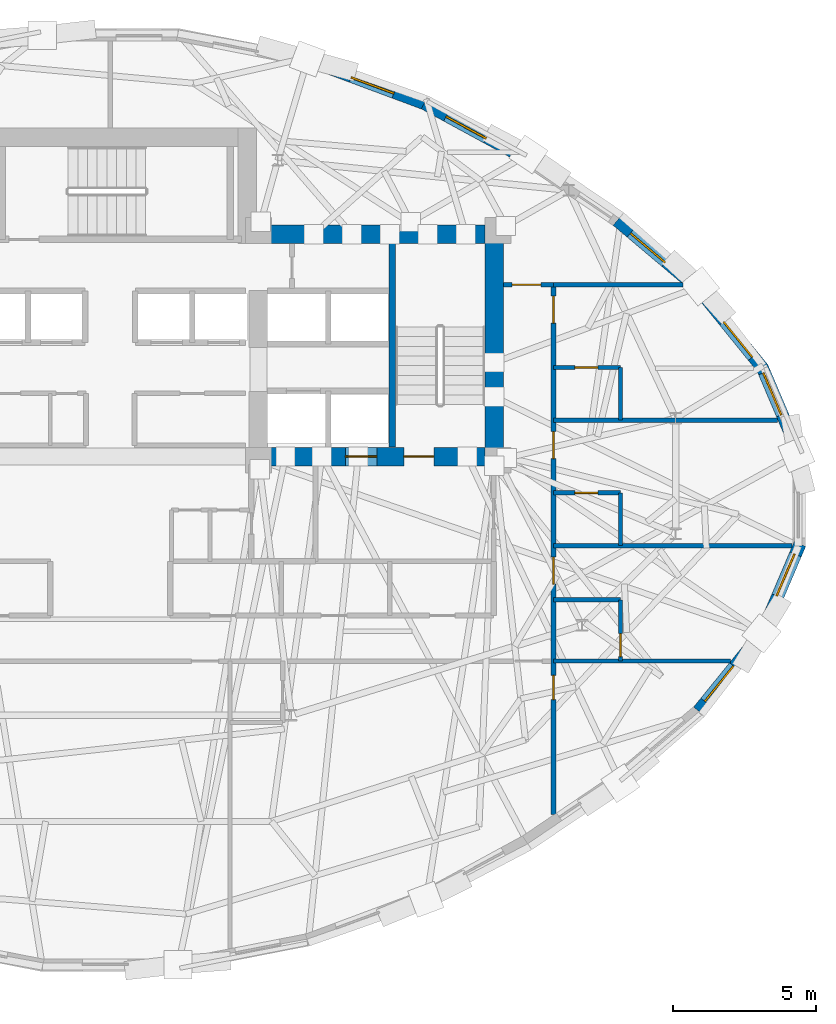
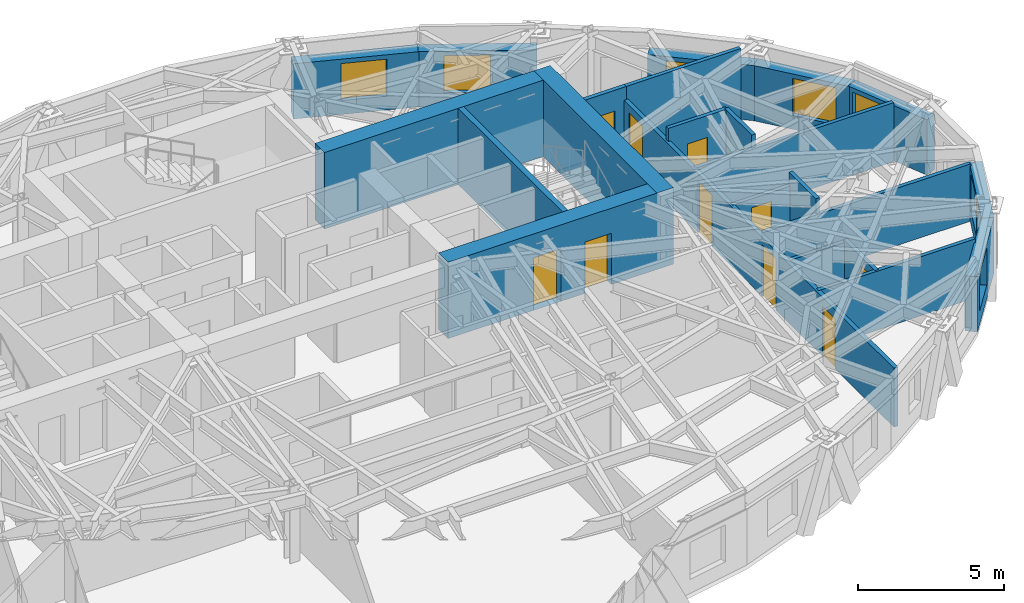
# One storey, part 9 of 14: 23 walls, 10 doors, 7 windows, 17 openings.
"""IFC4 building model written with IfcOpenShell, lengths in metres."""

from ifc_helpers import new_model, si_unit, direction, frame, frame_2d, origin, place, context, subcontext, project, spatial, rectangle, extrude, material, layer, layer_set, type_object, element, fill, save


model = new_model("IFC4")

# Units and contexts
model_context = context("Model", 3, precision=1e-05, world=origin(), true_north=direction((0.0, 1.0)))
body_context = subcontext(model_context, "Body", "Model", "MODEL_VIEW")
ifc_project = project(units=[si_unit("LENGTHUNIT", "METRE"), si_unit("AREAUNIT", "SQUARE_METRE"), si_unit("VOLUMEUNIT", "CUBIC_METRE"), si_unit("PLANEANGLEUNIT", "RADIAN"), si_unit("MASSUNIT", "GRAM", prefix="KILO")], contexts=[model_context])

# Site, building, storey
site_placement = place(None, origin())
site = spatial("IfcSite", under=ifc_project, at=site_placement, CompositionType="ELEMENT")
building_placement = place(site_placement, origin())
building = spatial("IfcBuilding", under=site, at=building_placement, Name="Keldmark Tower", CompositionType="ELEMENT")
storey_placement = place(building_placement, frame((0.0, 0.0, 191.800048828125)))
storey = spatial("IfcBuildingStorey", under=building, at=storey_placement, Name="L53", CompositionType="ELEMENT", Elevation=191.800048828125)

# Wall, openings, doors
ifc_material_1 = material(Name="Type X Fire-Rated Gypsum Partition Assembly", Category="gypsum")
ifc_layer_1 = layer(ifc_material_1, 0.1650390625)
ifc_layer_set_1 = layer_set([ifc_layer_1], Name="Type X Fire-Rated Gypsum Partition Assembly")
wall_type_1 = type_object("IfcWallType", Name="Rated Partition 165 mm", PredefinedType="PARTITIONING", material=ifc_layer_set_1)
wall_1_placement = place(storey_placement, frame((15.550048828125, -11.0361328125, 0.0), z_axis=(0.0, 0.0, 1.0), x_axis=(0.0, 1.0, 0.0)))
wall_1 = element("IfcWall", 1, at=wall_1_placement, inside=storey, type_object=wall_type_1, Name="L53 Rated Partition 165 mm HCOR-E", PredefinedType="PARTITIONING", context=body_context, shape_type="SweptSolid", body=[
    extrude(rectangle(XDim=18.586181640625, YDim=0.1650390625, at=frame_2d((9.29296875, 0.0))), origin(), (0.0, 0.0, 1.0), 2.472900390625),
])
opening_1_placement = place(wall_1_placement, frame((4.03662109375, 0.0, 0.0)))
opening_1 = element("IfcOpeningElement", 2, at=opening_1_placement, cuts=wall_1, Name="Opening D-IN085", PredefinedType="OPENING", context=body_context, shape_type="SweptSolid", body=[
    extrude(rectangle(XDim=0.85009765625, YDim=2.10009765625, at=frame_2d((0.425048828125, 1.050048828125))), frame((0.0, 0.092529296875, 0.0), z_axis=(0.0, -1.0, 0.0), x_axis=(1.0, 0.0, 0.0)), (0.0, 0.0, 1.0), 0.18505859375),
])
opening_2_placement = place(wall_1_placement, frame((8.08642578125, 0.0, 0.0)))
opening_2 = element("IfcOpeningElement", 3, at=opening_2_placement, cuts=wall_1, Name="Opening D-HT095", PredefinedType="OPENING", context=body_context, shape_type="SweptSolid", body=[
    extrude(rectangle(XDim=0.949951171875, YDim=2.14990234375, at=frame_2d((0.47509765625, 1.074951171875))), frame((0.0, 0.092529296875, 0.0), z_axis=(0.0, -1.0, 0.0), x_axis=(1.0, 0.0, 0.0)), (0.0, 0.0, 1.0), 0.18505859375),
])
opening_3_placement = place(wall_1_placement, frame((12.486572265625, 0.0, 0.0)))
opening_3 = element("IfcOpeningElement", 4, at=opening_3_placement, cuts=wall_1, Name="Opening D-HT095", PredefinedType="OPENING", context=body_context, shape_type="SweptSolid", body=[
    extrude(rectangle(XDim=0.949951171875, YDim=2.14990234375, at=frame_2d((0.47509765625, 1.074951171875))), frame((0.0, 0.092529296875, 0.0), z_axis=(0.0, -1.0, 0.0), x_axis=(1.0, 0.0, 0.0)), (0.0, 0.0, 1.0), 0.18505859375),
])
opening_4_placement = place(wall_1_placement, frame((17.236572265625, 0.0, 0.0)))
opening_4 = element("IfcOpeningElement", 5, at=opening_4_placement, cuts=wall_1, Name="Opening D-HT095", PredefinedType="OPENING", context=body_context, shape_type="SweptSolid", body=[
    extrude(rectangle(XDim=0.949951171875, YDim=2.14990234375, at=frame_2d((0.47509765625, 1.074951171875))), frame((0.0, 0.092529296875, 0.0), z_axis=(0.0, -1.0, 0.0), x_axis=(1.0, 0.0, 0.0)), (0.0, 0.0, 1.0), 0.18505859375),
])
ifc_material_2 = material(Name="Solid-Core Acoustic White Oak Fire-Rated Assembly", Category="wood")
door_type_1 = type_object("IfcDoorType", Name="Hotel Entry Door 950x2150", OperationType="NOTDEFINED", PredefinedType="DOOR", material=ifc_material_2)
door_1_placement = place(opening_2_placement, origin())
door_1 = element("IfcDoor", 6, at=door_1_placement, inside=storey, type_object=door_type_1, Name="L53 Hotel Entry Door 950x2150 D-HR-4-L53", OperationType="SINGLE_SWING_LEFT", OverallHeight=2.14990234375, OverallWidth=0.949951171875, PredefinedType="DOOR", context=body_context, shape_type="SweptSolid", body=[
    extrude(rectangle(XDim=0.949951171875, YDim=2.14990234375, at=frame_2d((0.47509765625, 1.074951171875))), frame((0.0, 0.02490234375, 0.0), z_axis=(0.0, -1.0, 0.0), x_axis=(1.0, 0.0, 0.0)), (0.0, 0.0, 1.0), 0.050048828125),
])
fill(opening_2, door_1)
door_2_placement = place(opening_3_placement, origin())
door_2 = element("IfcDoor", 7, at=door_2_placement, inside=storey, type_object=door_type_1, Name="L53 Hotel Entry Door 950x2150 D-HR-5-L53", OperationType="SINGLE_SWING_LEFT", OverallHeight=2.14990234375, OverallWidth=0.949951171875, PredefinedType="DOOR", context=body_context, shape_type="SweptSolid", body=[
    extrude(rectangle(XDim=0.949951171875, YDim=2.14990234375, at=frame_2d((0.47509765625, 1.074951171875))), frame((0.0, 0.02490234375, 0.0), z_axis=(0.0, -1.0, 0.0), x_axis=(1.0, 0.0, 0.0)), (0.0, 0.0, 1.0), 0.050048828125),
])
fill(opening_3, door_2)
door_3_placement = place(opening_4_placement, origin())
door_3 = element("IfcDoor", 8, at=door_3_placement, inside=storey, type_object=door_type_1, Name="L53 Hotel Entry Door 950x2150 D-HR-6-L53", OperationType="SINGLE_SWING_LEFT", OverallHeight=2.14990234375, OverallWidth=0.949951171875, PredefinedType="DOOR", context=body_context, shape_type="SweptSolid", body=[
    extrude(rectangle(XDim=0.949951171875, YDim=2.14990234375, at=frame_2d((0.47509765625, 1.074951171875))), frame((0.0, 0.02490234375, 0.0), z_axis=(0.0, -1.0, 0.0), x_axis=(1.0, 0.0, 0.0)), (0.0, 0.0, 1.0), 0.050048828125),
])
fill(opening_4, door_3)
ifc_material_3 = material(Name="Painted Architectural Wood", Category="wood")
door_type_2 = type_object("IfcDoorType", Name="Interior Door 850x2100", OperationType="NOTDEFINED", PredefinedType="DOOR", material=ifc_material_3)
door_4_placement = place(opening_1_placement, origin())
door_4 = element("IfcDoor", 9, at=door_4_placement, inside=storey, type_object=door_type_2, Name="L53 Interior Door 850x2100 D-HKSE-L53", OperationType="SINGLE_SWING_RIGHT", OverallHeight=2.10009765625, OverallWidth=0.85009765625, PredefinedType="DOOR", context=body_context, shape_type="SweptSolid", body=[
    extrude(rectangle(XDim=0.85009765625, YDim=2.10009765625, at=frame_2d((0.425048828125, 1.050048828125))), frame((0.0, 0.02490234375, 0.0), z_axis=(0.0, -1.0, 0.0), x_axis=(1.0, 0.0, 0.0)), (0.0, 0.0, 1.0), 0.050048828125),
])
fill(opening_1, door_4)

# Wall, opening, door
wall_2_placement = place(storey_placement, frame((13.800048828125, 7.550048828125, 0.0), z_axis=(0.0, 0.0, 1.0), x_axis=(1.0, 0.0, 0.0)))
wall_2 = element("IfcWall", 10, at=wall_2_placement, inside=storey, type_object=wall_type_1, Name="L53 Rated Partition 165 mm HCOR-EN", PredefinedType="PARTITIONING", context=body_context, shape_type="SweptSolid", body=[
    extrude(rectangle(XDim=1.75, YDim=0.1650390625, at=frame_2d((0.875, 0.0))), origin(), (0.0, 0.0, 1.0), 3.02001953125),
])
opening_5_placement = place(wall_2_placement, frame((0.300048828125, 0.0, 0.0)))
opening_5 = element("IfcOpeningElement", 11, at=opening_5_placement, cuts=wall_2, Name="Opening D-FD100", PredefinedType="OPENING", context=body_context, shape_type="SweptSolid", body=[
    extrude(rectangle(XDim=1.0, YDim=2.14990234375, at=frame_2d((0.5, 1.074951171875))), frame((0.0, 0.092529296875, 0.0), z_axis=(0.0, -1.0, 0.0), x_axis=(1.0, 0.0, 0.0)), (0.0, 0.0, 1.0), 0.18505859375),
])
ifc_material_4 = material(Name="Hollow Metal Fire-Rated Corridor Door", Category="metal")
door_type_3 = type_object("IfcDoorType", Name="Fire Door 1000x2150", OperationType="NOTDEFINED", PredefinedType="DOOR", material=ifc_material_4)
door_5_placement = place(opening_5_placement, origin())
door_5 = element("IfcDoor", 12, at=door_5_placement, inside=storey, type_object=door_type_3, Name="L53 Fire Door 1000x2150 D-HNNE-L53", OperationType="SINGLE_SWING_RIGHT", OverallHeight=2.14990234375, OverallWidth=1.0, PredefinedType="DOOR", context=body_context, shape_type="SweptSolid", body=[
    extrude(rectangle(XDim=1.0, YDim=2.14990234375, at=frame_2d((0.5, 1.074951171875))), frame((0.0, 0.02490234375, 0.0), z_axis=(0.0, -1.0, 0.0), x_axis=(1.0, 0.0, 0.0)), (0.0, 0.0, 1.0), 0.050048828125),
])
fill(opening_5, door_5)

# Wall
ifc_material_5 = material(Name="Concrete C50/60", Category="concrete")
ifc_layer_2 = layer(ifc_material_5, 0.219970703125)
ifc_layer_set_2 = layer_set([ifc_layer_2], Name="Concrete C50/60")
wall_type_2 = type_object("IfcWallType", Name="Stair Core Shear Wall 220 mm", PredefinedType="SHEAR", material=ifc_layer_set_2)
wall_3_placement = place(storey_placement, frame((9.889892578125, 1.85009765625, 0.0), z_axis=(0.0, 0.0, 1.0), x_axis=(0.0, 1.0, 0.0)))
element("IfcWall", 13, at=wall_3_placement, inside=storey, type_object=wall_type_2, Name="L53 East Stair Core Shear Wall", PredefinedType="SHEAR", context=body_context, shape_type="SweptSolid", body=[
    extrude(rectangle(XDim=7.14990234375, YDim=0.219970703125, at=frame_2d((3.574951171875, 0.0))), origin(), (0.0, 0.0, 1.0), 3.199951171875),
])

# Wall, opening, window
ifc_material_6 = material(Name="Ironspot Manganese Brick and Kasota Buff Limestone Spandrel Assembly", Category="masonry")
ifc_layer_3 = layer(ifc_material_6, 0.43994140625)
ifc_layer_set_3 = layer_set([ifc_layer_3], Name="Ironspot Manganese Brick and Kasota Buff Limestone Spandrel Assembly")
wall_type_3 = type_object("IfcWallType", Name="Tower Brick Pier and Spandrel Wall 440 mm", PredefinedType="STANDARD", material=ifc_layer_set_3)
wall_4_placement = place(storey_placement, frame((22.865478515625, 4.657958984375, 0.0), z_axis=(0.0, 0.0, 1.0), x_axis=(0.391568154721, -0.920149107595, 0.0)))
wall_4 = element("IfcWall", 14, at=wall_4_placement, inside=storey, type_object=wall_type_3, Name="L53 Exterior Brick and Spandrel Wall 01", PredefinedType="STANDARD", context=body_context, shape_type="SweptSolid", body=[
    extrude(rectangle(XDim=3.385498046875, YDim=0.43994140625, at=frame_2d((1.69287109375, 0.0))), origin(), (0.0, 0.0, 1.0), 2.31494140625),
])
opening_6_placement = place(wall_4_placement, frame((0.199951171875, 0.0, 0.580078125)))
opening_6 = element("IfcOpeningElement", 15, at=opening_6_placement, cuts=wall_4, Name="Opening W-04", PredefinedType="OPENING", context=body_context, shape_type="SweptSolid", body=[
    extrude(rectangle(XDim=1.60009765625, YDim=1.550048828125, at=frame_2d((0.800048828125, 0.77490234375))), frame((0.0, 0.22998046875, 0.0), z_axis=(0.0, -1.0, 0.0), x_axis=(1.0, 0.0, 0.0)), (0.0, 0.0, 1.0), 0.4599609375),
])
ifc_material_7 = material(Name="Thermally Broken Anodized Aluminum and Triple Low-E Argon Glazing", Category="aluminium")
window_type = type_object("IfcWindowType", Name="Hotel Deep-Set Operable Window 1600x1550", PartitioningType="DOUBLE_PANEL_HORIZONTAL", PredefinedType="WINDOW", material=ifc_material_7)
window_1_placement = place(opening_6_placement, origin())
window_1 = element("IfcWindow", 16, at=window_1_placement, inside=storey, type_object=window_type, Name="L53 Deep-Set Window 01", OverallHeight=1.550048828125, OverallWidth=1.60009765625, PartitioningType="SINGLE_PANEL", PredefinedType="WINDOW", context=body_context, shape_type="SweptSolid", body=[
    extrude(rectangle(XDim=1.60009765625, YDim=1.550048828125, at=frame_2d((0.800048828125, 0.77490234375))), frame((0.0, -0.010009765625, 0.0), z_axis=(0.0, -1.0, 0.0), x_axis=(1.0, 0.0, 0.0)), (0.0, 0.0, 1.0), 0.06005859375),
])
fill(opening_6, window_1)

wall_5_placement = place(storey_placement, frame((20.632080078125, 7.39990234375, 0.0), z_axis=(0.0, 0.0, 1.0), x_axis=(0.629697919329, -0.776840093193, 0.0)))
wall_5 = element("IfcWall", 17, at=wall_5_placement, inside=storey, type_object=wall_type_3, Name="L53 Exterior Brick and Spandrel Wall 02", PredefinedType="STANDARD", context=body_context, shape_type="SweptSolid", body=[
    extrude(rectangle(XDim=3.59716796875, YDim=0.43994140625, at=frame_2d((1.798583984375, 0.0))), origin(), (0.0, 0.0, 1.0), 2.31494140625),
])
opening_7_placement = place(wall_5_placement, frame((1.44775390625, 0.0, 0.580078125)))
opening_7 = element("IfcOpeningElement", 18, at=opening_7_placement, cuts=wall_5, Name="Opening W-04", PredefinedType="OPENING", context=body_context, shape_type="SweptSolid", body=[
    extrude(rectangle(XDim=1.60009765625, YDim=1.550048828125, at=frame_2d((0.800048828125, 0.77490234375))), frame((0.0, 0.22998046875, 0.0), z_axis=(0.0, -1.0, 0.0), x_axis=(1.0, 0.0, 0.0)), (0.0, 0.0, 1.0), 0.4599609375),
])
window_2_placement = place(opening_7_placement, origin())
window_2 = element("IfcWindow", 19, at=window_2_placement, inside=storey, type_object=window_type, Name="L53 Deep-Set Window 02", OverallHeight=1.550048828125, OverallWidth=1.60009765625, PartitioningType="SINGLE_PANEL", PredefinedType="WINDOW", context=body_context, shape_type="SweptSolid", body=[
    extrude(rectangle(XDim=1.60009765625, YDim=1.550048828125, at=frame_2d((0.800048828125, 0.77490234375))), frame((0.0, -0.010009765625, 0.0), z_axis=(0.0, -1.0, 0.0), x_axis=(1.0, 0.0, 0.0)), (0.0, 0.0, 1.0), 0.06005859375),
])
fill(opening_7, window_2)

wall_6_placement = place(storey_placement, frame((17.778564453125, 9.802490234375, 0.0), z_axis=(0.0, 0.0, 1.0), x_axis=(0.764269547527, -0.644896936512, 0.0)))
wall_6 = element("IfcWall", 20, at=wall_6_placement, inside=storey, type_object=wall_type_3, Name="L53 Exterior Brick and Spandrel Wall 03", PredefinedType="STANDARD", context=body_context, shape_type="SweptSolid", body=[
    extrude(rectangle(XDim=3.771240234375, YDim=0.43994140625, at=frame_2d((1.8857421875, 0.0))), origin(), (0.0, 0.0, 1.0), 2.31494140625),
])
opening_8_placement = place(wall_6_placement, frame((0.642822265625, 0.0, 0.580078125)))
opening_8 = element("IfcOpeningElement", 21, at=opening_8_placement, cuts=wall_6, Name="Opening W-04", PredefinedType="OPENING", context=body_context, shape_type="SweptSolid", body=[
    extrude(rectangle(XDim=1.60009765625, YDim=1.550048828125, at=frame_2d((0.800048828125, 0.77490234375))), frame((0.0, 0.22998046875, 0.0), z_axis=(0.0, -1.0, 0.0), x_axis=(1.0, 0.0, 0.0)), (0.0, 0.0, 1.0), 0.4599609375),
])
window_3_placement = place(opening_8_placement, origin())
window_3 = element("IfcWindow", 22, at=window_3_placement, inside=storey, type_object=window_type, Name="L53 Deep-Set Window 03", OverallHeight=1.550048828125, OverallWidth=1.60009765625, PartitioningType="SINGLE_PANEL", PredefinedType="WINDOW", context=body_context, shape_type="SweptSolid", body=[
    extrude(rectangle(XDim=1.60009765625, YDim=1.550048828125, at=frame_2d((0.800048828125, 0.77490234375))), frame((0.0, -0.010009765625, 0.0), z_axis=(0.0, -1.0, 0.0), x_axis=(1.0, 0.0, 0.0)), (0.0, 0.0, 1.0), 0.06005859375),
])
fill(opening_8, window_3)

wall_7_placement = place(storey_placement, frame((11.01416015625, 13.91015625, 0.0), z_axis=(0.0, 0.0, 1.0), x_axis=(0.878158075839, -0.478370561217, 0.0)))
wall_7 = element("IfcWall", 23, at=wall_7_placement, inside=storey, type_object=wall_type_3, Name="L53 Exterior Brick and Spandrel Wall 05", PredefinedType="STANDARD", context=body_context, shape_type="SweptSolid", body=[
    extrude(rectangle(XDim=4.08544921875, YDim=0.43994140625, at=frame_2d((2.042724609375, 0.0))), origin(), (0.0, 0.0, 1.0), 2.31494140625),
])
opening_9_placement = place(wall_7_placement, frame((0.89501953125, 0.0, 0.580078125)))
opening_9 = element("IfcOpeningElement", 24, at=opening_9_placement, cuts=wall_7, Name="Opening W-04", PredefinedType="OPENING", context=body_context, shape_type="SweptSolid", body=[
    extrude(rectangle(XDim=1.60009765625, YDim=1.550048828125, at=frame_2d((0.800048828125, 0.77490234375))), frame((0.0, 0.22998046875, 0.0), z_axis=(0.0, -1.0, 0.0), x_axis=(1.0, 0.0, 0.0)), (0.0, 0.0, 1.0), 0.4599609375),
])
window_4_placement = place(opening_9_placement, origin())
window_4 = element("IfcWindow", 25, at=window_4_placement, inside=storey, type_object=window_type, Name="L53 Deep-Set Window 05", OverallHeight=1.550048828125, OverallWidth=1.60009765625, PartitioningType="SINGLE_PANEL", PredefinedType="WINDOW", context=body_context, shape_type="SweptSolid", body=[
    extrude(rectangle(XDim=1.60009765625, YDim=1.550048828125, at=frame_2d((0.800048828125, 0.77490234375))), frame((0.0, -0.010009765625, 0.0), z_axis=(0.0, -1.0, 0.0), x_axis=(1.0, 0.0, 0.0)), (0.0, 0.0, 1.0), 0.06005859375),
])
fill(opening_9, window_4)

wall_8_placement = place(storey_placement, frame((6.9208984375, 15.4326171875, 0.0), z_axis=(0.0, 0.0, 1.0), x_axis=(0.937088879832, -0.349090863953, 0.0)))
wall_8 = element("IfcWall", 26, at=wall_8_placement, inside=storey, type_object=wall_type_3, Name="L53 Exterior Brick and Spandrel Wall 06", PredefinedType="STANDARD", context=body_context, shape_type="SweptSolid", body=[
    extrude(rectangle(XDim=4.398193359375, YDim=0.43994140625, at=frame_2d((2.19921875, 0.0))), origin(), (0.0, 0.0, 1.0), 2.31494140625),
])
opening_10_placement = place(wall_8_placement, frame((1.649169921875, 0.0, 0.580078125)))
opening_10 = element("IfcOpeningElement", 27, at=opening_10_placement, cuts=wall_8, Name="Opening W-04", PredefinedType="OPENING", context=body_context, shape_type="SweptSolid", body=[
    extrude(rectangle(XDim=1.60009765625, YDim=1.550048828125, at=frame_2d((0.800048828125, 0.77490234375))), frame((0.0, 0.22998046875, 0.0), z_axis=(0.0, -1.0, 0.0), x_axis=(1.0, 0.0, 0.0)), (0.0, 0.0, 1.0), 0.4599609375),
])
window_5_placement = place(opening_10_placement, origin())
window_5 = element("IfcWindow", 28, at=window_5_placement, inside=storey, type_object=window_type, Name="L53 Deep-Set Window 06", OverallHeight=1.550048828125, OverallWidth=1.60009765625, PartitioningType="SINGLE_PANEL", PredefinedType="WINDOW", context=body_context, shape_type="SweptSolid", body=[
    extrude(rectangle(XDim=1.60009765625, YDim=1.550048828125, at=frame_2d((0.800048828125, 0.77490234375))), frame((0.0, -0.010009765625, 0.0), z_axis=(0.0, -1.0, 0.0), x_axis=(1.0, 0.0, 0.0)), (0.0, 0.0, 1.0), 0.06005859375),
])
fill(opening_10, window_5)

wall_9_placement = place(storey_placement, frame((22.897216796875, -4.60546875, 0.0), z_axis=(0.0, 0.0, 1.0), x_axis=(-0.629697919329, -0.776840093193, 0.0)))
wall_9 = element("IfcWall", 29, at=wall_9_placement, inside=storey, type_object=wall_type_3, Name="L53 Exterior Brick and Spandrel Wall 30", PredefinedType="STANDARD", context=body_context, shape_type="SweptSolid", body=[
    extrude(rectangle(XDim=3.59716796875, YDim=0.43994140625, at=frame_2d((1.798583984375, 0.0))), origin(), (0.0, 0.0, 1.0), 2.31494140625),
])
opening_11_placement = place(wall_9_placement, frame((1.597412109375, 0.0, 0.580078125)))
opening_11 = element("IfcOpeningElement", 30, at=opening_11_placement, cuts=wall_9, Name="Opening W-04", PredefinedType="OPENING", context=body_context, shape_type="SweptSolid", body=[
    extrude(rectangle(XDim=1.60009765625, YDim=1.550048828125, at=frame_2d((0.800048828125, 0.77490234375))), frame((0.0, 0.22998046875, 0.0), z_axis=(0.0, -1.0, 0.0), x_axis=(1.0, 0.0, 0.0)), (0.0, 0.0, 1.0), 0.4599609375),
])
window_6_placement = place(opening_11_placement, origin())
window_6 = element("IfcWindow", 31, at=window_6_placement, inside=storey, type_object=window_type, Name="L53 Deep-Set Window 30", OverallHeight=1.550048828125, OverallWidth=1.60009765625, PartitioningType="SINGLE_PANEL", PredefinedType="WINDOW", context=body_context, shape_type="SweptSolid", body=[
    extrude(rectangle(XDim=1.60009765625, YDim=1.550048828125, at=frame_2d((0.800048828125, 0.77490234375))), frame((0.0, -0.010009765625, 0.0), z_axis=(0.0, -1.0, 0.0), x_axis=(1.0, 0.0, 0.0)), (0.0, 0.0, 1.0), 0.06005859375),
])
fill(opening_11, window_6)

wall_10_placement = place(storey_placement, frame((24.191162109375, -1.542724609375, 0.0), z_axis=(0.0, 0.0, 1.0), x_axis=(-0.391568154721, -0.920149107595, 0.0)))
wall_10 = element("IfcWall", 32, at=wall_10_placement, inside=storey, type_object=wall_type_3, Name="L53 Exterior Brick and Spandrel Wall 31", PredefinedType="STANDARD", context=body_context, shape_type="SweptSolid", body=[
    extrude(rectangle(XDim=3.385498046875, YDim=0.43994140625, at=frame_2d((1.69287109375, 0.0))), origin(), (0.0, 0.0, 1.0), 2.31494140625),
])
opening_12_placement = place(wall_10_placement, frame((0.39794921875, 0.0, 0.580078125)))
opening_12 = element("IfcOpeningElement", 33, at=opening_12_placement, cuts=wall_10, Name="Opening W-04", PredefinedType="OPENING", context=body_context, shape_type="SweptSolid", body=[
    extrude(rectangle(XDim=1.60009765625, YDim=1.550048828125, at=frame_2d((0.800048828125, 0.77490234375))), frame((0.0, 0.22998046875, 0.0), z_axis=(0.0, -1.0, 0.0), x_axis=(1.0, 0.0, 0.0)), (0.0, 0.0, 1.0), 0.4599609375),
])
window_7_placement = place(opening_12_placement, origin())
window_7 = element("IfcWindow", 34, at=window_7_placement, inside=storey, type_object=window_type, Name="L53 Deep-Set Window 31", OverallHeight=1.550048828125, OverallWidth=1.60009765625, PartitioningType="SINGLE_PANEL", PredefinedType="WINDOW", context=body_context, shape_type="SweptSolid", body=[
    extrude(rectangle(XDim=1.60009765625, YDim=1.550048828125, at=frame_2d((0.800048828125, 0.77490234375))), frame((0.0, -0.010009765625, 0.0), z_axis=(0.0, -1.0, 0.0), x_axis=(1.0, 0.0, 0.0)), (0.0, 0.0, 1.0), 0.06005859375),
])
fill(opening_12, window_7)

# Walls
ifc_material_8 = material(Name="Concrete C50/60", Category="concrete")
ifc_layer_4 = layer(ifc_material_8, 0.64990234375)
ifc_layer_set_4 = layer_set([ifc_layer_4], Name="Concrete C50/60")
wall_type_4 = type_object("IfcWallType", Name="Upper-Mid Core Shear Wall 650 mm", PredefinedType="SHEAR", material=ifc_layer_set_4)
wall_11_placement = place(storey_placement, frame((13.47509765625, 1.199951171875, 0.0), z_axis=(0.0, 0.0, 1.0), x_axis=(0.0, 1.0, 0.0)))
element("IfcWall", 35, at=wall_11_placement, inside=storey, type_object=wall_type_4, Name="L53 East Core Outer Shear Wall", PredefinedType="SHEAR", context=body_context, shape_type="SweptSolid", body=[
    extrude(rectangle(XDim=8.449951171875, YDim=0.64990234375, at=frame_2d((4.22509765625, 0.0))), origin(), (0.0, 0.0, 1.0), 3.199951171875),
])
wall_12_placement = place(storey_placement, frame((4.47509765625, 9.324951171875, 0.0), z_axis=(0.0, 0.0, 1.0), x_axis=(1.0, 0.0, 0.0)))
element("IfcWall", 36, at=wall_12_placement, inside=storey, type_object=wall_type_4, Name="L53 East Core North Shear Wall", PredefinedType="SHEAR", context=body_context, shape_type="SweptSolid", body=[
    extrude(rectangle(XDim=9.324951171875, YDim=0.64990234375, at=frame_2d((4.66259765625, 0.0))), origin(), (0.0, 0.0, 1.0), 3.199951171875),
])

# Wall, openings, doors
wall_13_placement = place(storey_placement, frame((13.800048828125, 1.52490234375, 0.0), z_axis=(0.0, 0.0, 1.0), x_axis=(-1.0, 0.0, 0.0)))
wall_13 = element("IfcWall", 37, at=wall_13_placement, inside=storey, type_object=wall_type_4, Name="L53 East Core South Shear Wall", PredefinedType="SHEAR", context=body_context, shape_type="SweptSolid", body=[
    extrude(rectangle(XDim=8.925048828125, YDim=0.64990234375, at=frame_2d((4.46240234375, 0.0))), origin(), (0.0, 0.0, 1.0), 3.199951171875),
])
opening_13_placement = place(wall_13_placement, frame((2.449951171875, 0.0, 0.0)))
opening_13 = element("IfcOpeningElement", 38, at=opening_13_placement, cuts=wall_13, Name="Opening D-ST105", PredefinedType="OPENING", context=body_context, shape_type="SweptSolid", body=[
    extrude(rectangle(XDim=1.050048828125, YDim=2.14990234375, at=frame_2d((0.52490234375, 1.074951171875))), frame((0.0, 0.3349609375, 0.0), z_axis=(0.0, -1.0, 0.0), x_axis=(1.0, 0.0, 0.0)), (0.0, 0.0, 1.0), 0.669921875),
])
opening_14_placement = place(wall_13_placement, frame((4.449951171875, 0.0, 0.0)))
opening_14 = element("IfcOpeningElement", 39, at=opening_14_placement, cuts=wall_13, Name="Opening LD-110", PredefinedType="OPENING", context=body_context, shape_type="SweptSolid", body=[
    extrude(rectangle(XDim=1.10009765625, YDim=2.199951171875, at=frame_2d((0.550048828125, 1.10009765625))), frame((0.0, 0.3349609375, 0.0), z_axis=(0.0, -1.0, 0.0), x_axis=(1.0, 0.0, 0.0)), (0.0, 0.0, 1.0), 0.669921875),
])
ifc_material_9 = material(Name="Brushed Bronze Hoistway Sliding Leaf", Category="metal")
door_type_4 = type_object("IfcDoorType", Name="Lift Landing Sliding Door 1100x2200", OperationType="SLIDING_TO_LEFT", PredefinedType="DOOR", material=ifc_material_9)
door_6_placement = place(opening_14_placement, origin())
door_6 = element("IfcDoor", 40, at=door_6_placement, inside=storey, type_object=door_type_4, Name="L53 Lift Landing Sliding Door 1100x2200 LD-EL-FS2-L53", OperationType="SLIDING_TO_LEFT", OverallHeight=2.199951171875, OverallWidth=1.10009765625, PredefinedType="DOOR", context=body_context, shape_type="SweptSolid", body=[
    extrude(rectangle(XDim=1.10009765625, YDim=2.199951171875, at=frame_2d((0.550048828125, 1.10009765625))), frame((0.0, 0.02490234375, 0.0), z_axis=(0.0, -1.0, 0.0), x_axis=(1.0, 0.0, 0.0)), (0.0, 0.0, 1.0), 0.050048828125),
])
fill(opening_14, door_6)
ifc_material_10 = material(Name="Hollow Metal Fire-Rated Door Assembly", Category="metal")
door_type_5 = type_object("IfcDoorType", Name="Stair Fire Door 1050x2150", OperationType="NOTDEFINED", PredefinedType="DOOR", material=ifc_material_10)
door_7_placement = place(opening_13_placement, origin())
door_7 = element("IfcDoor", 41, at=door_7_placement, inside=storey, type_object=door_type_5, Name="L53 Stair Fire Door 1050x2150 D-ST2-L53", OperationType="SINGLE_SWING_LEFT", OverallHeight=2.14990234375, OverallWidth=1.050048828125, PredefinedType="DOOR", context=body_context, shape_type="SweptSolid", body=[
    extrude(rectangle(XDim=1.050048828125, YDim=2.14990234375, at=frame_2d((0.52490234375, 1.074951171875))), frame((0.0, 0.02490234375, 0.0), z_axis=(0.0, -1.0, 0.0), x_axis=(1.0, 0.0, 0.0)), (0.0, 0.0, 1.0), 0.050048828125),
])
fill(opening_13, door_7)

# Walls
ifc_material_11 = material(Name="Moisture-Resistant Gypsum Plumbing Partition", Category="gypsum")
ifc_layer_5 = layer(ifc_material_11, 0.14990234375)
ifc_layer_set_5 = layer_set([ifc_layer_5], Name="Moisture-Resistant Gypsum Plumbing Partition")
wall_type_5 = type_object("IfcWallType", Name="Wet Wall 150 mm", PredefinedType="PLUMBINGWALL", material=ifc_layer_set_5)
wall_14_placement = place(storey_placement, frame((15.550048828125, 7.550048828125, 0.0), z_axis=(0.0, 0.0, 1.0), x_axis=(1.0, 0.0, 0.0)))
element("IfcWall", 42, at=wall_14_placement, inside=storey, type_object=wall_type_5, Name="L53 Wet Wall 150 mm HE-CAP-N", PredefinedType="PLUMBINGWALL", context=body_context, shape_type="SweptSolid", body=[
    extrude(rectangle(XDim=4.54443359375, YDim=0.14990234375, at=frame_2d((2.272216796875, 0.0))), origin(), (0.0, 0.0, 1.0), 3.02001953125),
])
wall_15_placement = place(storey_placement, frame((15.550048828125, -5.64990234375, 0.0), z_axis=(0.0, 0.0, 1.0), x_axis=(1.0, 0.0, 0.0)))
element("IfcWall", 43, at=wall_15_placement, inside=storey, type_object=wall_type_5, Name="L53 Wet Wall 150 mm HE-CAP-S", PredefinedType="PLUMBINGWALL", context=body_context, shape_type="SweptSolid", body=[
    extrude(rectangle(XDim=6.206787109375, YDim=0.14990234375, at=frame_2d((3.103515625, 0.0))), origin(), (0.0, 0.0, 1.0), 2.472900390625),
])
wall_16_placement = place(storey_placement, frame((15.550048828125, -1.60009765625, 0.0), z_axis=(0.0, 0.0, 1.0), x_axis=(1.0, 0.0, 0.0)))
element("IfcWall", 44, at=wall_16_placement, inside=storey, type_object=wall_type_5, Name="L53 Wet Wall 150 mm HE-DIV-1", PredefinedType="PLUMBINGWALL", context=body_context, shape_type="SweptSolid", body=[
    extrude(rectangle(XDim=8.368896484375, YDim=0.14990234375, at=frame_2d((4.1845703125, 0.0))), origin(), (0.0, 0.0, 1.0), 2.39794921875),
])
wall_17_placement = place(storey_placement, frame((15.550048828125, 2.800048828125, 0.0), z_axis=(0.0, 0.0, 1.0), x_axis=(1.0, 0.0, 0.0)))
element("IfcWall", 45, at=wall_17_placement, inside=storey, type_object=wall_type_5, Name="L53 Wet Wall 150 mm HE-DIV-2", PredefinedType="PLUMBINGWALL", context=body_context, shape_type="SweptSolid", body=[
    extrude(rectangle(XDim=7.8583984375, YDim=0.14990234375, at=frame_2d((3.92919921875, 0.0))), origin(), (0.0, 0.0, 1.0), 2.472900390625),
])
wall_18_placement = place(storey_placement, frame((15.550048828125, -3.5, 0.0), z_axis=(0.0, 0.0, 1.0), x_axis=(1.0, 0.0, 0.0)))
element("IfcWall", 46, at=wall_18_placement, inside=storey, type_object=wall_type_5, Name="L53 Wet Wall 150 mm HB-4-N", PredefinedType="PLUMBINGWALL", context=body_context, shape_type="SweptSolid", body=[
    extrude(rectangle(XDim=2.349853515625, YDim=0.14990234375, at=frame_2d((1.1748046875, 0.0))), origin(), (0.0, 0.0, 1.0), 2.39794921875),
])

# Wall, opening, door
wall_19_placement = place(storey_placement, frame((17.89990234375, -5.64990234375, 0.0), z_axis=(0.0, 0.0, 1.0), x_axis=(0.0, 1.0, 0.0)))
wall_19 = element("IfcWall", 47, at=wall_19_placement, inside=storey, type_object=wall_type_5, Name="L53 Wet Wall 150 mm HB-4-IN", PredefinedType="PLUMBINGWALL", context=body_context, shape_type="SweptSolid", body=[
    extrude(rectangle(XDim=2.14990234375, YDim=0.14990234375, at=frame_2d((1.074951171875, 0.0))), origin(), (0.0, 0.0, 1.0), 2.472900390625),
])
opening_15_placement = place(wall_19_placement, frame((0.159912109375, 0.0, 0.0)))
opening_15 = element("IfcOpeningElement", 48, at=opening_15_placement, cuts=wall_19, Name="Opening D-BT080", PredefinedType="OPENING", context=body_context, shape_type="SweptSolid", body=[
    extrude(rectangle(XDim=0.800048828125, YDim=2.10009765625, at=frame_2d((0.39990234375, 1.050048828125))), frame((0.0, 0.0849609375, 0.0), z_axis=(0.0, -1.0, 0.0), x_axis=(1.0, 0.0, 0.0)), (0.0, 0.0, 1.0), 0.169921875),
])
ifc_material_12 = material(Name="Moisture-Sealed Stained Wood", Category="wood")
door_type_6 = type_object("IfcDoorType", Name="Bathroom Door 800x2100", OperationType="NOTDEFINED", PredefinedType="DOOR", material=ifc_material_12)
door_8_placement = place(opening_15_placement, origin())
door_8 = element("IfcDoor", 49, at=door_8_placement, inside=storey, type_object=door_type_6, Name="L53 Bathroom Door 800x2100 D-HB-4-L53", OperationType="SINGLE_SWING_LEFT", OverallHeight=2.10009765625, OverallWidth=0.800048828125, PredefinedType="DOOR", context=body_context, shape_type="SweptSolid", body=[
    extrude(rectangle(XDim=0.800048828125, YDim=2.10009765625, at=frame_2d((0.39990234375, 1.050048828125))), frame((0.0, 0.02490234375, 0.0), z_axis=(0.0, -1.0, 0.0), x_axis=(1.0, 0.0, 0.0)), (0.0, 0.0, 1.0), 0.050048828125),
])
fill(opening_15, door_8)

wall_20_placement = place(storey_placement, frame((15.550048828125, 0.25, 0.0), z_axis=(0.0, 0.0, 1.0), x_axis=(1.0, 0.0, 0.0)))
wall_20 = element("IfcWall", 50, at=wall_20_placement, inside=storey, type_object=wall_type_5, Name="L53 Wet Wall 150 mm HB-5-N", PredefinedType="PLUMBINGWALL", context=body_context, shape_type="SweptSolid", body=[
    extrude(rectangle(XDim=2.349853515625, YDim=0.14990234375, at=frame_2d((1.1748046875, 0.0))), origin(), (0.0, 0.0, 1.0), 2.472900390625),
])
opening_16_placement = place(wall_20_placement, frame((0.75, 0.0, 0.0)))
opening_16 = element("IfcOpeningElement", 51, at=opening_16_placement, cuts=wall_20, Name="Opening D-BT080", PredefinedType="OPENING", context=body_context, shape_type="SweptSolid", body=[
    extrude(rectangle(XDim=0.800048828125, YDim=2.10009765625, at=frame_2d((0.39990234375, 1.050048828125))), frame((0.0, 0.0849609375, 0.0), z_axis=(0.0, -1.0, 0.0), x_axis=(1.0, 0.0, 0.0)), (0.0, 0.0, 1.0), 0.169921875),
])
door_9_placement = place(opening_16_placement, origin())
door_9 = element("IfcDoor", 52, at=door_9_placement, inside=storey, type_object=door_type_6, Name="L53 Bathroom Door 800x2100 D-HB-5-L53", OperationType="SINGLE_SWING_LEFT", OverallHeight=2.10009765625, OverallWidth=0.800048828125, PredefinedType="DOOR", context=body_context, shape_type="SweptSolid", body=[
    extrude(rectangle(XDim=0.800048828125, YDim=2.10009765625, at=frame_2d((0.39990234375, 1.050048828125))), frame((0.0, 0.02490234375, 0.0), z_axis=(0.0, -1.0, 0.0), x_axis=(1.0, 0.0, 0.0)), (0.0, 0.0, 1.0), 0.050048828125),
])
fill(opening_16, door_9)

# Wall
wall_21_placement = place(storey_placement, frame((17.89990234375, -1.60009765625, 0.0), z_axis=(0.0, 0.0, 1.0), x_axis=(0.0, 1.0, 0.0)))
element("IfcWall", 53, at=wall_21_placement, inside=storey, type_object=wall_type_5, Name="L53 Wet Wall 150 mm HB-5-IN", PredefinedType="PLUMBINGWALL", context=body_context, shape_type="SweptSolid", body=[
    extrude(rectangle(XDim=1.85009765625, YDim=0.14990234375, at=frame_2d((0.925048828125, 0.0))), origin(), (0.0, 0.0, 1.0), 3.02001953125),
])

# Wall, opening, door
wall_22_placement = place(storey_placement, frame((15.550048828125, 4.64990234375, 0.0), z_axis=(0.0, 0.0, 1.0), x_axis=(1.0, 0.0, 0.0)))
wall_22 = element("IfcWall", 54, at=wall_22_placement, inside=storey, type_object=wall_type_5, Name="L53 Wet Wall 150 mm HB-6-N", PredefinedType="PLUMBINGWALL", context=body_context, shape_type="SweptSolid", body=[
    extrude(rectangle(XDim=2.349853515625, YDim=0.14990234375, at=frame_2d((1.1748046875, 0.0))), origin(), (0.0, 0.0, 1.0), 3.02001953125),
])
opening_17_placement = place(wall_22_placement, frame((0.75, 0.0, 0.0)))
opening_17 = element("IfcOpeningElement", 55, at=opening_17_placement, cuts=wall_22, Name="Opening D-BT080", PredefinedType="OPENING", context=body_context, shape_type="SweptSolid", body=[
    extrude(rectangle(XDim=0.800048828125, YDim=2.10009765625, at=frame_2d((0.39990234375, 1.050048828125))), frame((0.0, 0.0849609375, 0.0), z_axis=(0.0, -1.0, 0.0), x_axis=(1.0, 0.0, 0.0)), (0.0, 0.0, 1.0), 0.169921875),
])
door_10_placement = place(opening_17_placement, origin())
door_10 = element("IfcDoor", 56, at=door_10_placement, inside=storey, type_object=door_type_6, Name="L53 Bathroom Door 800x2100 D-HB-6-L53", OperationType="SINGLE_SWING_RIGHT", OverallHeight=2.10009765625, OverallWidth=0.800048828125, PredefinedType="DOOR", context=body_context, shape_type="SweptSolid", body=[
    extrude(rectangle(XDim=0.800048828125, YDim=2.10009765625, at=frame_2d((0.39990234375, 1.050048828125))), frame((0.0, 0.02490234375, 0.0), z_axis=(0.0, -1.0, 0.0), x_axis=(1.0, 0.0, 0.0)), (0.0, 0.0, 1.0), 0.050048828125),
])
fill(opening_17, door_10)

# Wall
wall_23_placement = place(storey_placement, frame((17.89990234375, 2.800048828125, 0.0), z_axis=(0.0, 0.0, 1.0), x_axis=(0.0, 1.0, 0.0)))
element("IfcWall", 57, at=wall_23_placement, inside=storey, type_object=wall_type_5, Name="L53 Wet Wall 150 mm HB-6-IN", PredefinedType="PLUMBINGWALL", context=body_context, shape_type="SweptSolid", body=[
    extrude(rectangle(XDim=1.849853515625, YDim=0.14990234375, at=frame_2d((0.9248046875, 0.0))), origin(), (0.0, 0.0, 1.0), 3.02001953125),
])

save(model, "model.ifc")
